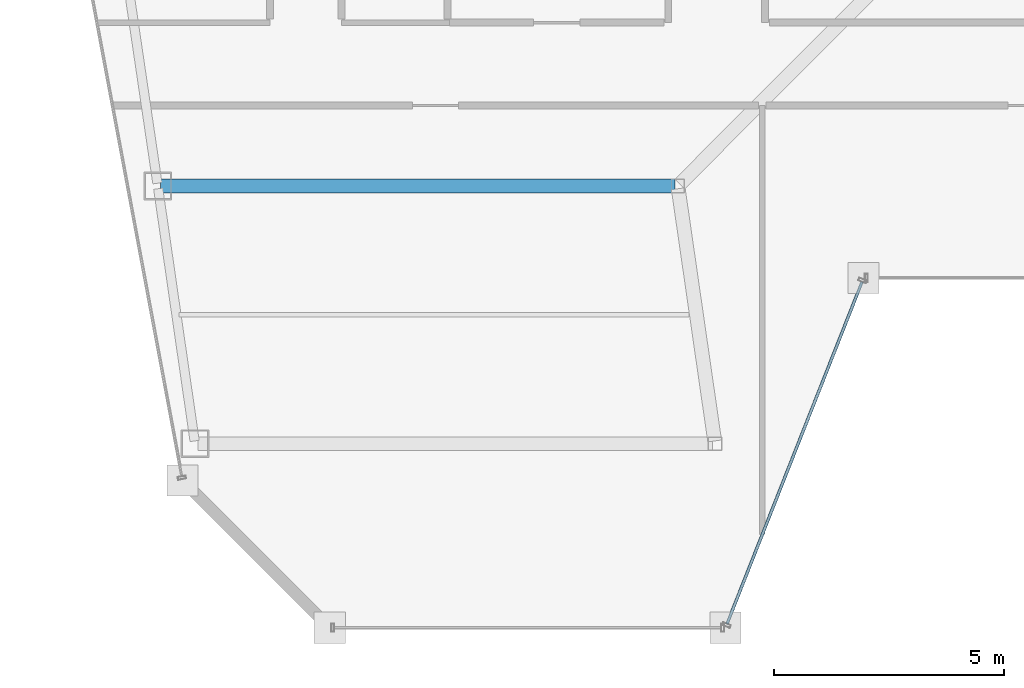
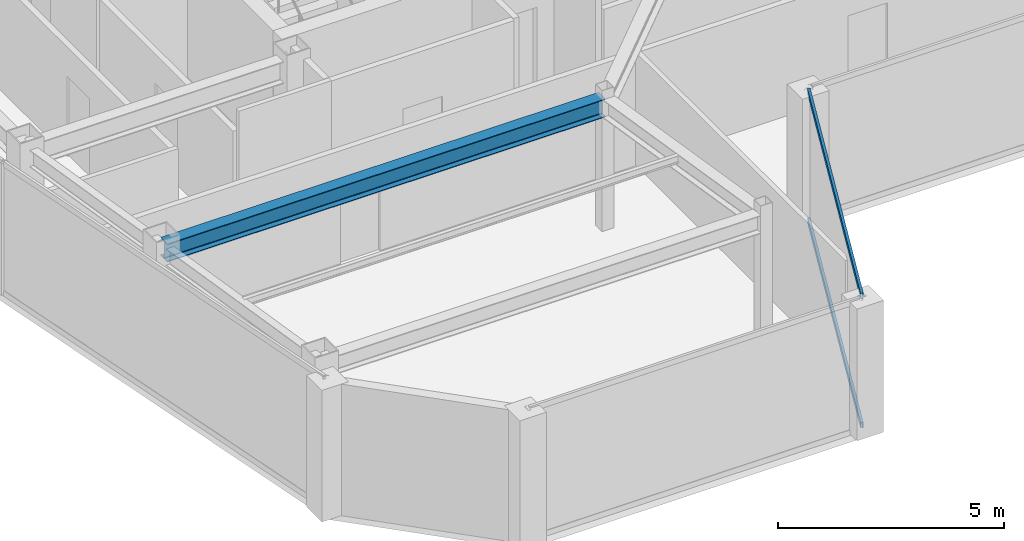
# One storey, part 5 of 22: 2 members, 1 beam, 1 element without a shape of its own.
"""IFC4 building model written with IfcOpenShell, lengths in metres."""

from ifc_helpers import new_model, si_unit, direction, frame, origin, origin_2d, place, context, subcontext, project, spatial, hollow_rectangle, i_section, extrude, material, material_profile, profile_set, type_object, element, aggregate, save


model = new_model("IFC4")

# Units and contexts
model_context = context("Model", 3, precision=1e-05, world=origin(), true_north=direction((0.0, 1.0)))
body_context = subcontext(model_context, "Body", "Model", "MODEL_VIEW")
ifc_project = project(units=[si_unit("LENGTHUNIT", "METRE"), si_unit("AREAUNIT", "SQUARE_METRE"), si_unit("VOLUMEUNIT", "CUBIC_METRE"), si_unit("PLANEANGLEUNIT", "RADIAN"), si_unit("MASSUNIT", "GRAM", prefix="KILO")], contexts=[model_context])

# Site, building, storey
site_placement = place(None, origin())
site = spatial("IfcSite", under=ifc_project, at=site_placement, CompositionType="ELEMENT")
building_placement = place(site_placement, origin())
building = spatial("IfcBuilding", under=site, at=building_placement, Name="Saevonmaru Cultural Tower", CompositionType="ELEMENT")
storey_placement = place(building_placement, frame((0.0, 0.0, 287.60009765625)))
storey = spatial("IfcBuildingStorey", under=building, at=storey_placement, Name="L68", CompositionType="ELEMENT", Elevation=287.60009765625)

# Beam
ifc_material_1 = material(Name="Steel SM355", Category="steel")
ifc_material_profile_1 = material_profile(ifc_material_1, i_section(OverallWidth=0.300048828125, OverallDepth=0.488037109375, WebThickness=0.010986328125, FlangeThickness=0.01806640625, FilletRadius=0.02197265625, at=origin_2d()), Name="H-488x300x11x18")
ifc_profile_set_1 = profile_set([ifc_material_profile_1], Name="Steel SM355")
beam_type = type_object("IfcBeamType", Name="BM-G-H488", PredefinedType="BEAM", material=ifc_profile_set_1)
beam_placement = place(storey_placement, frame((7.568115234375, 37.60009765625, 3.305908203125), z_axis=(1.0, 0.0, 0.0), x_axis=(0.0, 1.0, 0.0)))
element("IfcBeam", 1, at=beam_placement, inside=storey, type_object=beam_type, Name="L68 West Wing Transverse Girder 2", PredefinedType="BEAM", context=body_context, shape_type="SweptSolid", body=[
    extrude(i_section(OverallWidth=0.300048828125, OverallDepth=0.488037109375, WebThickness=0.010986328125, FlangeThickness=0.01806640625, FilletRadius=0.02197265625, at=origin_2d()), origin(), (0.0, 0.0, 1.0), 11.179931640625),
])

# Curtain wall, members
ifc_material_2 = material(Name="Satin Bronze Anodised Aluminium", Category="aluminium")
curtain_wall_type = type_object("IfcCurtainWallType", Name="CW-TYP-B", PredefinedType="NOTDEFINED", material=ifc_material_2)
curtain_wall_placement = place(storey_placement, origin())
curtain_wall = element("IfcCurtainWall", 2, at=curtain_wall_placement, inside=storey, type_object=curtain_wall_type, Name="L68 Unitised Curtain Wall E3", PredefinedType="NOTDEFINED")
ifc_material_profile_2 = material_profile(ifc_material_2, hollow_rectangle(XDim=0.06494140625, YDim=0.14990234375, WallThickness=0.00390625, at=origin_2d()), Name="ALU-TRAN-150x65x4")
ifc_profile_set_2 = profile_set([ifc_material_profile_2], Name="Satin Bronze Anodised Aluminium")
member_type = type_object("IfcMemberType", Name="TR-CW-150x65", PredefinedType="USERDEFINED", material=ifc_profile_set_2)
member_1_placement = place(storey_placement, frame((19.87841796875, 28.0859375, 0.032470703125), z_axis=(0.367170015072, 0.930153847507, 0.0), x_axis=(-0.930153847507, 0.367170015072, 0.0)))
member_1 = element("IfcMember", 3, at=member_1_placement, type_object=member_type, Name="CW-TW-L68-E3 transom 1.1", ObjectType="TRANSOM", PredefinedType="USERDEFINED", context=body_context, shape_type="SweptSolid", body=[
    extrude(hollow_rectangle(XDim=0.06494140625, YDim=0.14990234375, WallThickness=0.00390625, at=origin_2d()), origin(), (0.0, 0.0, 1.0), 7.98583984375),
])
member_2_placement = place(storey_placement, frame((19.87841796875, 28.0859375, 3.517333984375), z_axis=(0.367170015072, 0.930153847507, 0.0), x_axis=(-0.930153847507, 0.367170015072, 0.0)))
member_2 = element("IfcMember", 4, at=member_2_placement, type_object=member_type, Name="CW-TW-L68-E3 transom 1.2", ObjectType="TRANSOM", PredefinedType="USERDEFINED", context=body_context, shape_type="SweptSolid", body=[
    extrude(hollow_rectangle(XDim=0.06494140625, YDim=0.14990234375, WallThickness=0.00390625, at=origin_2d()), origin(), (0.0, 0.0, 1.0), 7.98583984375),
])
aggregate(curtain_wall, [member_1, member_2])

save(model, "model.ifc")
